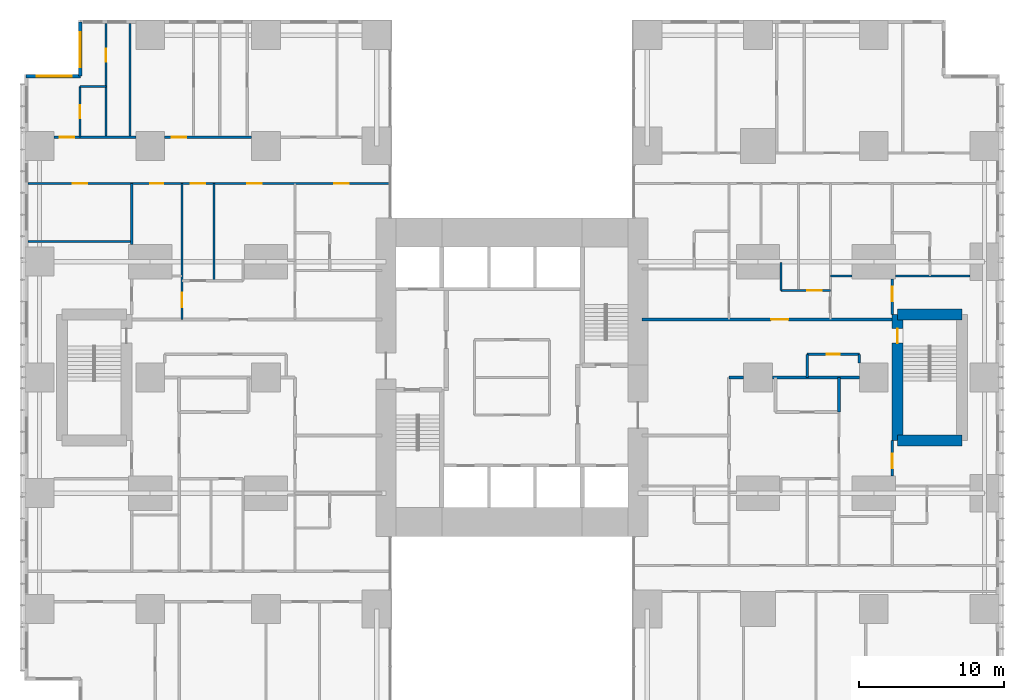
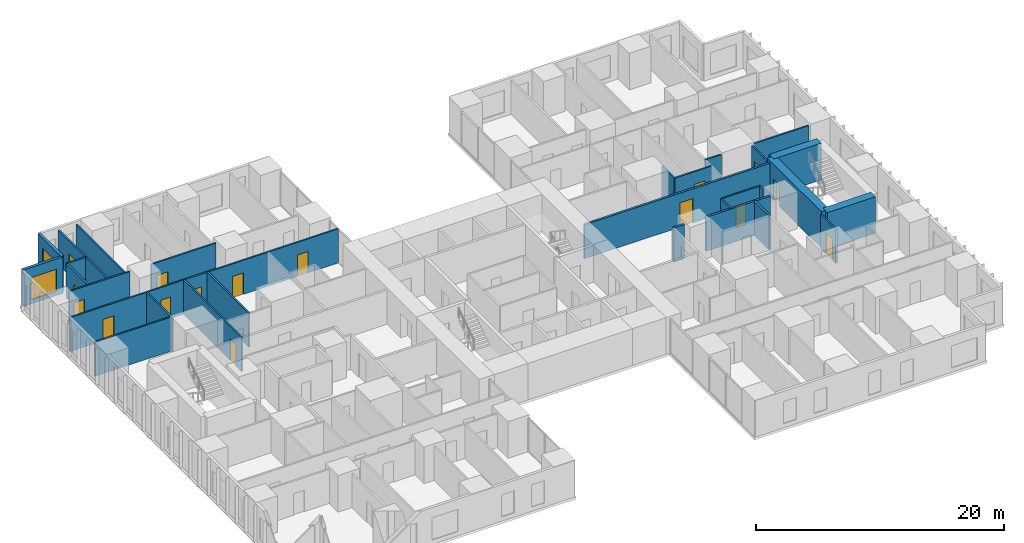
# One storey, part 16 of 20: 29 walls, 16 doors, 2 windows, 18 openings.
"""IFC4 building model written with IfcOpenShell, lengths in metres."""

from ifc_helpers import new_model, si_unit, direction, frame, frame_2d, origin, place, context, subcontext, project, spatial, rectangle, extrude, material, layer, layer_set, type_object, element, fill, save


model = new_model("IFC4")

# Units and contexts
model_context = context("Model", 3, precision=1e-05, world=origin(), true_north=direction((0.0, 1.0)))
body_context = subcontext(model_context, "Body", "Model", "MODEL_VIEW")
ifc_project = project(units=[si_unit("LENGTHUNIT", "METRE"), si_unit("AREAUNIT", "SQUARE_METRE"), si_unit("VOLUMEUNIT", "CUBIC_METRE"), si_unit("PLANEANGLEUNIT", "RADIAN"), si_unit("MASSUNIT", "GRAM", prefix="KILO")], contexts=[model_context])

# Site, building, storey
site_placement = place(None, origin())
site = spatial("IfcSite", under=ifc_project, at=site_placement, CompositionType="ELEMENT")
building_placement = place(site_placement, origin())
building = spatial("IfcBuilding", under=site, at=building_placement, Name="Cleftline Residences", CompositionType="ELEMENT")
storey_placement = place(building_placement, frame((0.0, 0.0, 117.800048828125)))
storey = spatial("IfcBuildingStorey", under=building, at=storey_placement, Name="L30", CompositionType="ELEMENT", Elevation=117.800048828125)

# Wall, opening, window
ifc_material_1 = material(Name="Rendered reinforced concrete blockwork", Category="masonry")
ifc_layer_1 = layer(ifc_material_1, 0.25)
ifc_layer_set_1 = layer_set([ifc_layer_1], Name="EXTERNAL WALL 250")
wall_type_1 = type_object("IfcWallType", Name="EXTERNAL WALL 250", PredefinedType="SOLIDWALL", material=ifc_layer_set_1)
wall_1_placement = place(storey_placement, frame((3.175048828125, 48.574951171875, 0.0), z_axis=(0.0, 0.0, 1.0), x_axis=(0.0, -1.0, 0.0)))
wall_1 = element("IfcWall", 1, at=wall_1_placement, inside=storey, type_object=wall_type_1, Name="External wall", PredefinedType="SOLIDWALL", context=body_context, shape_type="SweptSolid", body=[
    extrude(rectangle(XDim=3.75, YDim=0.25, at=frame_2d((1.875, 0.0))), origin(), (0.0, 0.0, 1.0), 3.599853515625),
])
opening_1_placement = place(wall_1_placement, frame((0.737548828125, 0.0, 0.39990234375)))
opening_1 = element("IfcOpeningElement", 2, at=opening_1_placement, cuts=wall_1, Name="Opening W12", PredefinedType="OPENING", context=body_context, shape_type="SweptSolid", body=[
    extrude(rectangle(XDim=2.39990234375, YDim=2.199951171875, at=frame_2d((1.199951171875, 1.10009765625))), frame((0.0, 0.135009765625, 0.0), z_axis=(0.0, -1.0, 0.0), x_axis=(1.0, 0.0, 0.0)), (0.0, 0.0, 1.0), 0.27001953125),
])
ifc_material_2 = material(Name="Aluminium frame, clear double glazing", Category="aluminium")
window_type = type_object("IfcWindowType", Name="WINDOW 2400X2200", PartitioningType="DOUBLE_PANEL_VERTICAL", PredefinedType="WINDOW", material=ifc_material_2)
window_1_placement = place(opening_1_placement, origin())
window_1 = element("IfcWindow", 3, at=window_1_placement, inside=storey, type_object=window_type, Name="Window", OverallHeight=2.199951171875, OverallWidth=2.39990234375, PartitioningType="SINGLE_PANEL", PredefinedType="WINDOW", context=body_context, shape_type="SweptSolid", body=[
    extrude(rectangle(XDim=2.39990234375, YDim=2.199951171875, at=frame_2d((1.199951171875, 1.10009765625))), frame((0.0, 0.030029296875, 0.0), z_axis=(0.0, -1.0, 0.0), x_axis=(1.0, 0.0, 0.0)), (0.0, 0.0, 1.0), 0.06005859375),
])
fill(opening_1, window_1)

wall_2_placement = place(storey_placement, frame((3.175048828125, 44.824951171875, 0.0), z_axis=(0.0, 0.0, 1.0), x_axis=(-1.0, 0.0, 0.0)))
wall_2 = element("IfcWall", 4, at=wall_2_placement, inside=storey, type_object=wall_type_1, Name="External wall", PredefinedType="SOLIDWALL", context=body_context, shape_type="SweptSolid", body=[
    extrude(rectangle(XDim=3.75, YDim=0.25, at=frame_2d((1.875, 0.0))), origin(), (0.0, 0.0, 1.0), 3.599853515625),
])
opening_2_placement = place(wall_2_placement, frame((0.612548828125, 0.0, 0.39990234375)))
opening_2 = element("IfcOpeningElement", 5, at=opening_2_placement, cuts=wall_2, Name="Opening W12", PredefinedType="OPENING", context=body_context, shape_type="SweptSolid", body=[
    extrude(rectangle(XDim=2.39990234375, YDim=2.199951171875, at=frame_2d((1.199951171875, 1.10009765625))), frame((0.0, 0.135009765625, 0.0), z_axis=(0.0, -1.0, 0.0), x_axis=(1.0, 0.0, 0.0)), (0.0, 0.0, 1.0), 0.27001953125),
])
window_2_placement = place(opening_2_placement, origin())
window_2 = element("IfcWindow", 6, at=window_2_placement, inside=storey, type_object=window_type, Name="Window", OverallHeight=2.199951171875, OverallWidth=2.39990234375, PartitioningType="SINGLE_PANEL", PredefinedType="WINDOW", context=body_context, shape_type="SweptSolid", body=[
    extrude(rectangle(XDim=2.39990234375, YDim=2.199951171875, at=frame_2d((1.199951171875, 1.10009765625))), frame((0.0, 0.030029296875, 0.0), z_axis=(0.0, -1.0, 0.0), x_axis=(1.0, 0.0, 0.0)), (0.0, 0.0, 1.0), 0.06005859375),
])
fill(opening_2, window_2)

# Walls
ifc_material_3 = material(Name="Concrete blockwork, fire rated", Category="masonry")
ifc_layer_2 = layer(ifc_material_3, 0.199951171875)
ifc_layer_set_2 = layer_set([ifc_layer_2], Name="FIRE WALL 200")
wall_type_2 = type_object("IfcWallType", Name="FIRE WALL 200", PredefinedType="PARTITIONING", material=ifc_layer_set_2)
wall_3_placement = place(storey_placement, frame((48.0, 24.0, 0.0), z_axis=(0.0, 0.0, 1.0), x_axis=(1.0, 0.0, 0.0)))
element("IfcWall", 7, at=wall_3_placement, inside=storey, type_object=wall_type_2, Name="Fire separating wall", PredefinedType="PARTITIONING", context=body_context, shape_type="SweptSolid", body=[
    extrude(rectangle(XDim=1.0, YDim=0.199951171875, at=frame_2d((0.5, 0.0))), origin(), (0.0, 0.0, 1.0), 3.349853515625),
])
wall_4_placement = place(storey_placement, frame((51.0, 24.0, 0.0), z_axis=(0.0, 0.0, 1.0), x_axis=(1.0, 0.0, 0.0)))
element("IfcWall", 8, at=wall_4_placement, inside=storey, type_object=wall_type_2, Name="Fire separating wall", PredefinedType="PARTITIONING", context=body_context, shape_type="SweptSolid", body=[
    extrude(rectangle(XDim=6.0, YDim=0.199951171875, at=frame_2d((3.0, 0.0))), origin(), (0.0, 0.0, 1.0), 3.349853515625),
])

# Wall, opening, door
wall_5_placement = place(storey_placement, frame((42.0, 28.0, 0.0), z_axis=(0.0, 0.0, 1.0), x_axis=(1.0, 0.0, 0.0)))
wall_5 = element("IfcWall", 9, at=wall_5_placement, inside=storey, type_object=wall_type_2, Name="Fire separating wall", PredefinedType="PARTITIONING", context=body_context, shape_type="SweptSolid", body=[
    extrude(rectangle(XDim=17.27490234375, YDim=0.199951171875, at=frame_2d((8.637451171875, 0.0))), origin(), (0.0, 0.0, 1.0), 3.349853515625),
])
opening_3_placement = place(wall_5_placement, frame((8.89990234375, 0.0, 0.0)))
opening_3 = element("IfcOpeningElement", 10, at=opening_3_placement, cuts=wall_5, Name="Opening D4", PredefinedType="OPENING", context=body_context, shape_type="SweptSolid", body=[
    extrude(rectangle(XDim=1.199951171875, YDim=2.39990234375, at=frame_2d((0.60009765625, 1.199951171875))), frame((0.0, 0.10986328125, 0.0), z_axis=(0.0, -1.0, 0.0), x_axis=(1.0, 0.0, 0.0)), (0.0, 0.0, 1.0), 0.219970703125),
])
ifc_material_4 = material(Name="Timber veneer on solid core", Category="wood")
door_type_1 = type_object("IfcDoorType", Name="APARTMENT ENTRANCE DOOR 1200X2400", OperationType="SINGLE_SWING_RIGHT", PredefinedType="DOOR", material=ifc_material_4)
door_1_placement = place(opening_3_placement, origin())
door_1 = element("IfcDoor", 11, at=door_1_placement, inside=storey, type_object=door_type_1, Name="Door to residence entrance foyer", OperationType="SINGLE_SWING_LEFT", OverallHeight=2.39990234375, OverallWidth=1.199951171875, PredefinedType="DOOR", context=body_context, shape_type="SweptSolid", body=[
    extrude(rectangle(XDim=1.199951171875, YDim=2.39990234375, at=frame_2d((0.60009765625, 1.199951171875))), frame((0.0, 0.02490234375, 0.0), z_axis=(0.0, -1.0, 0.0), x_axis=(1.0, 0.0, 0.0)), (0.0, 0.0, 1.0), 0.050048828125),
])
fill(opening_3, door_1)

# Wall
wall_6_placement = place(storey_placement, frame((55.60009765625, 21.60009765625, 0.0), z_axis=(0.0, 0.0, 1.0), x_axis=(0.0, 1.0, 0.0)))
element("IfcWall", 12, at=wall_6_placement, inside=storey, type_object=wall_type_2, Name="Fire separating wall", PredefinedType="PARTITIONING", context=body_context, shape_type="SweptSolid", body=[
    extrude(rectangle(XDim=2.39990234375, YDim=0.199951171875, at=frame_2d((1.199951171875, 0.0))), origin(), (0.0, 0.0, 1.0), 3.349853515625),
])

# Wall, opening, door
ifc_material_5 = material(Name="Gypsum board on steel studs", Category="steel")
ifc_layer_3 = layer(ifc_material_5, 0.14990234375)
ifc_layer_set_3 = layer_set([ifc_layer_3], Name="PARTITION 150")
wall_type_3 = type_object("IfcWallType", Name="PARTITION 150", PredefinedType="PARTITIONING", material=ifc_layer_set_3)
wall_7_placement = place(storey_placement, frame((53.39990234375, 25.60009765625, 0.0), z_axis=(0.0, 0.0, 1.0), x_axis=(1.0, 0.0, 0.0)))
wall_7 = element("IfcWall", 13, at=wall_7_placement, inside=storey, type_object=wall_type_3, Name="Partition", PredefinedType="PARTITIONING", context=body_context, shape_type="SweptSolid", body=[
    extrude(rectangle(XDim=3.60009765625, YDim=0.14990234375, at=frame_2d((1.800048828125, 0.0))), origin(), (0.0, 0.0, 1.0), 3.349853515625),
])
opening_4_placement = place(wall_7_placement, frame((1.35009765625, 0.0, 0.0)))
opening_4 = element("IfcOpeningElement", 14, at=opening_4_placement, cuts=wall_7, Name="Opening D1", PredefinedType="OPENING", context=body_context, shape_type="SweptSolid", body=[
    extrude(rectangle(XDim=0.89990234375, YDim=2.10009765625, at=frame_2d((0.449951171875, 1.050048828125))), frame((0.0, 0.0849609375, 0.0), z_axis=(0.0, -1.0, 0.0), x_axis=(1.0, 0.0, 0.0)), (0.0, 0.0, 1.0), 0.169921875),
])
ifc_material_6 = material(Name="Timber veneer on solid core", Category="wood")
door_type_2 = type_object("IfcDoorType", Name="DOOR 900X2100", OperationType="SINGLE_SWING_LEFT", PredefinedType="DOOR", material=ifc_material_6)
door_2_placement = place(opening_4_placement, origin())
door_2 = element("IfcDoor", 15, at=door_2_placement, inside=storey, type_object=door_type_2, Name="Door to residents' storage room", OperationType="SINGLE_SWING_LEFT", OverallHeight=2.10009765625, OverallWidth=0.89990234375, PredefinedType="DOOR", context=body_context, shape_type="SweptSolid", body=[
    extrude(rectangle(XDim=0.89990234375, YDim=2.10009765625, at=frame_2d((0.449951171875, 1.050048828125))), frame((0.0, 0.02490234375, 0.0), z_axis=(0.0, -1.0, 0.0), x_axis=(1.0, 0.0, 0.0)), (0.0, 0.0, 1.0), 0.050048828125),
])
fill(opening_4, door_2)

wall_8_placement = place(storey_placement, frame((51.60009765625, 30.0, 0.0), z_axis=(0.0, 0.0, 1.0), x_axis=(1.0, 0.0, 0.0)))
wall_8 = element("IfcWall", 16, at=wall_8_placement, inside=storey, type_object=wall_type_3, Name="Partition", PredefinedType="PARTITIONING", context=body_context, shape_type="SweptSolid", body=[
    extrude(rectangle(XDim=3.39990234375, YDim=0.14990234375, at=frame_2d((1.699951171875, 0.0))), origin(), (0.0, 0.0, 1.0), 3.349853515625),
])
opening_5_placement = place(wall_8_placement, frame((1.800048828125, 0.0, 0.0)))
opening_5 = element("IfcOpeningElement", 17, at=opening_5_placement, cuts=wall_8, Name="Opening D2", PredefinedType="OPENING", context=body_context, shape_type="SweptSolid", body=[
    extrude(rectangle(XDim=1.0, YDim=2.10009765625, at=frame_2d((0.5, 1.050048828125))), frame((0.0, 0.0849609375, 0.0), z_axis=(0.0, -1.0, 0.0), x_axis=(1.0, 0.0, 0.0)), (0.0, 0.0, 1.0), 0.169921875),
])
ifc_material_7 = material(Name="Timber veneer on solid core", Category="wood")
door_type_3 = type_object("IfcDoorType", Name="DOOR 1000X2100", OperationType="SINGLE_SWING_LEFT", PredefinedType="DOOR", material=ifc_material_7)
door_3_placement = place(opening_5_placement, origin())
door_3 = element("IfcDoor", 18, at=door_3_placement, inside=storey, type_object=door_type_3, Name="Door to residence passage", OperationType="SINGLE_SWING_LEFT", OverallHeight=2.10009765625, OverallWidth=1.0, PredefinedType="DOOR", context=body_context, shape_type="SweptSolid", body=[
    extrude(rectangle(XDim=1.0, YDim=2.10009765625, at=frame_2d((0.5, 1.050048828125))), frame((0.0, 0.02490234375, 0.0), z_axis=(0.0, -1.0, 0.0), x_axis=(1.0, 0.0, 0.0)), (0.0, 0.0, 1.0), 0.050048828125),
])
fill(opening_5, door_3)

# Walls
wall_9_placement = place(storey_placement, frame((55.0, 31.0, 0.0), z_axis=(0.0, 0.0, 1.0), x_axis=(1.0, 0.0, 0.0)))
element("IfcWall", 19, at=wall_9_placement, inside=storey, type_object=wall_type_3, Name="Partition", PredefinedType="PARTITIONING", context=body_context, shape_type="SweptSolid", body=[
    extrude(rectangle(XDim=1.5, YDim=0.14990234375, at=frame_2d((0.75, 0.0))), origin(), (0.0, 0.0, 1.0), 3.349853515625),
])
wall_10_placement = place(storey_placement, frame((59.5, 31.0, 0.0), z_axis=(0.0, 0.0, 1.0), x_axis=(1.0, 0.0, 0.0)))
element("IfcWall", 20, at=wall_10_placement, inside=storey, type_object=wall_type_3, Name="Partition", PredefinedType="PARTITIONING", context=body_context, shape_type="SweptSolid", body=[
    extrude(rectangle(XDim=5.14990234375, YDim=0.14990234375, at=frame_2d((2.574951171875, 0.0))), origin(), (0.0, 0.0, 1.0), 3.349853515625),
])
wall_11_placement = place(storey_placement, frame((-0.449951171875, 33.39990234375, 0.0), z_axis=(0.0, 0.0, 1.0), x_axis=(1.0, 0.0, 0.0)))
element("IfcWall", 21, at=wall_11_placement, inside=storey, type_object=wall_type_3, Name="Partition", PredefinedType="PARTITIONING", context=body_context, shape_type="SweptSolid", body=[
    extrude(rectangle(XDim=7.175048828125, YDim=0.14990234375, at=frame_2d((3.58740234375, 0.0))), origin(), (0.0, 0.0, 1.0), 3.349853515625),
])

# Wall, openings, doors
wall_12_placement = place(storey_placement, frame((-0.449951171875, 37.39990234375, 0.0), z_axis=(0.0, 0.0, 1.0), x_axis=(1.0, 0.0, 0.0)))
wall_12 = element("IfcWall", 22, at=wall_12_placement, inside=storey, type_object=wall_type_3, Name="Partition", PredefinedType="PARTITIONING", context=body_context, shape_type="SweptSolid", body=[
    extrude(rectangle(XDim=25.010986328125, YDim=0.14990234375, at=frame_2d((12.50537109375, 0.0))), origin(), (0.0, 0.0, 1.0), 3.349853515625),
])
opening_6_placement = place(wall_12_placement, frame((11.25, 0.0, 0.0)))
opening_6 = element("IfcOpeningElement", 23, at=opening_6_placement, cuts=wall_12, Name="Opening D2", PredefinedType="OPENING", context=body_context, shape_type="SweptSolid", body=[
    extrude(rectangle(XDim=1.0, YDim=2.10009765625, at=frame_2d((0.5, 1.050048828125))), frame((0.0, 0.0849609375, 0.0), z_axis=(0.0, -1.0, 0.0), x_axis=(1.0, 0.0, 0.0)), (0.0, 0.0, 1.0), 0.169921875),
])
opening_7_placement = place(wall_12_placement, frame((3.08740234375, 0.0, 0.0)))
opening_7 = element("IfcOpeningElement", 24, at=opening_7_placement, cuts=wall_12, Name="Opening D2", PredefinedType="OPENING", context=body_context, shape_type="SweptSolid", body=[
    extrude(rectangle(XDim=1.0, YDim=2.10009765625, at=frame_2d((0.5, 1.050048828125))), frame((0.0, 0.0849609375, 0.0), z_axis=(0.0, -1.0, 0.0), x_axis=(1.0, 0.0, 0.0)), (0.0, 0.0, 1.0), 0.169921875),
])
opening_8_placement = place(wall_12_placement, frame((8.46240234375, 0.0, 0.0)))
opening_8 = element("IfcOpeningElement", 25, at=opening_8_placement, cuts=wall_12, Name="Opening D1", PredefinedType="OPENING", context=body_context, shape_type="SweptSolid", body=[
    extrude(rectangle(XDim=0.89990234375, YDim=2.10009765625, at=frame_2d((0.449951171875, 1.050048828125))), frame((0.0, 0.0849609375, 0.0), z_axis=(0.0, -1.0, 0.0), x_axis=(1.0, 0.0, 0.0)), (0.0, 0.0, 1.0), 0.169921875),
])
opening_9_placement = place(wall_12_placement, frame((15.14990234375, 0.0, 0.0)))
opening_9 = element("IfcOpeningElement", 26, at=opening_9_placement, cuts=wall_12, Name="Opening D2", PredefinedType="OPENING", context=body_context, shape_type="SweptSolid", body=[
    extrude(rectangle(XDim=1.0, YDim=2.10009765625, at=frame_2d((0.5, 1.050048828125))), frame((0.0, 0.0849609375, 0.0), z_axis=(0.0, -1.0, 0.0), x_axis=(1.0, 0.0, 0.0)), (0.0, 0.0, 1.0), 0.169921875),
])
opening_10_placement = place(wall_12_placement, frame((21.175048828125, 0.0, 0.0)))
opening_10 = element("IfcOpeningElement", 27, at=opening_10_placement, cuts=wall_12, Name="Opening D2", PredefinedType="OPENING", context=body_context, shape_type="SweptSolid", body=[
    extrude(rectangle(XDim=1.0, YDim=2.10009765625, at=frame_2d((0.5, 1.050048828125))), frame((0.0, 0.0849609375, 0.0), z_axis=(0.0, -1.0, 0.0), x_axis=(1.0, 0.0, 0.0)), (0.0, 0.0, 1.0), 0.169921875),
])
door_4_placement = place(opening_6_placement, origin())
door_4 = element("IfcDoor", 28, at=door_4_placement, inside=storey, type_object=door_type_3, Name="Door to residence hall", OperationType="SINGLE_SWING_RIGHT", OverallHeight=2.10009765625, OverallWidth=1.0, PredefinedType="DOOR", context=body_context, shape_type="SweptSolid", body=[
    extrude(rectangle(XDim=1.0, YDim=2.10009765625, at=frame_2d((0.5, 1.050048828125))), frame((0.0, 0.02490234375, 0.0), z_axis=(0.0, -1.0, 0.0), x_axis=(1.0, 0.0, 0.0)), (0.0, 0.0, 1.0), 0.050048828125),
])
fill(opening_6, door_4)
door_5_placement = place(opening_7_placement, origin())
door_5 = element("IfcDoor", 29, at=door_5_placement, inside=storey, type_object=door_type_3, Name="Door to study", OperationType="SINGLE_SWING_RIGHT", OverallHeight=2.10009765625, OverallWidth=1.0, PredefinedType="DOOR", context=body_context, shape_type="SweptSolid", body=[
    extrude(rectangle(XDim=1.0, YDim=2.10009765625, at=frame_2d((0.5, 1.050048828125))), frame((0.0, 0.02490234375, 0.0), z_axis=(0.0, -1.0, 0.0), x_axis=(1.0, 0.0, 0.0)), (0.0, 0.0, 1.0), 0.050048828125),
])
fill(opening_7, door_5)
door_6_placement = place(opening_9_placement, origin())
door_6 = element("IfcDoor", 30, at=door_6_placement, inside=storey, type_object=door_type_3, Name="Door to media room", OperationType="SINGLE_SWING_LEFT", OverallHeight=2.10009765625, OverallWidth=1.0, PredefinedType="DOOR", context=body_context, shape_type="SweptSolid", body=[
    extrude(rectangle(XDim=1.0, YDim=2.10009765625, at=frame_2d((0.5, 1.050048828125))), frame((0.0, 0.02490234375, 0.0), z_axis=(0.0, -1.0, 0.0), x_axis=(1.0, 0.0, 0.0)), (0.0, 0.0, 1.0), 0.050048828125),
])
fill(opening_9, door_6)
door_7_placement = place(opening_10_placement, origin())
door_7 = element("IfcDoor", 31, at=door_7_placement, inside=storey, type_object=door_type_3, Name="Door to bedroom 4", OperationType="SINGLE_SWING_LEFT", OverallHeight=2.10009765625, OverallWidth=1.0, PredefinedType="DOOR", context=body_context, shape_type="SweptSolid", body=[
    extrude(rectangle(XDim=1.0, YDim=2.10009765625, at=frame_2d((0.5, 1.050048828125))), frame((0.0, 0.02490234375, 0.0), z_axis=(0.0, -1.0, 0.0), x_axis=(1.0, 0.0, 0.0)), (0.0, 0.0, 1.0), 0.050048828125),
])
fill(opening_10, door_7)
door_8_placement = place(opening_8_placement, origin())
door_8 = element("IfcDoor", 32, at=door_8_placement, inside=storey, type_object=door_type_2, Name="Door to guest bathroom", OperationType="SINGLE_SWING_RIGHT", OverallHeight=2.10009765625, OverallWidth=0.89990234375, PredefinedType="DOOR", context=body_context, shape_type="SweptSolid", body=[
    extrude(rectangle(XDim=0.89990234375, YDim=2.10009765625, at=frame_2d((0.449951171875, 1.050048828125))), frame((0.0, 0.02490234375, 0.0), z_axis=(0.0, -1.0, 0.0), x_axis=(1.0, 0.0, 0.0)), (0.0, 0.0, 1.0), 0.050048828125),
])
fill(opening_8, door_8)

# Wall, opening, door
wall_13_placement = place(storey_placement, frame((1.35009765625, 40.60009765625, 0.0), z_axis=(0.0, 0.0, 1.0), x_axis=(1.0, 0.0, 0.0)))
wall_13 = element("IfcWall", 33, at=wall_13_placement, inside=storey, type_object=wall_type_3, Name="Partition", PredefinedType="PARTITIONING", context=body_context, shape_type="SweptSolid", body=[
    extrude(rectangle(XDim=5.64990234375, YDim=0.14990234375, at=frame_2d((2.824951171875, 0.0))), origin(), (0.0, 0.0, 1.0), 3.349853515625),
])
opening_11_placement = place(wall_13_placement, frame((0.39990234375, 0.0, 0.0)))
opening_11 = element("IfcOpeningElement", 34, at=opening_11_placement, cuts=wall_13, Name="Opening D2", PredefinedType="OPENING", context=body_context, shape_type="SweptSolid", body=[
    extrude(rectangle(XDim=1.0, YDim=2.10009765625, at=frame_2d((0.5, 1.050048828125))), frame((0.0, 0.0849609375, 0.0), z_axis=(0.0, -1.0, 0.0), x_axis=(1.0, 0.0, 0.0)), (0.0, 0.0, 1.0), 0.169921875),
])
door_9_placement = place(opening_11_placement, origin())
door_9 = element("IfcDoor", 35, at=door_9_placement, inside=storey, type_object=door_type_3, Name="Door to bedroom 2", OperationType="SINGLE_SWING_RIGHT", OverallHeight=2.10009765625, OverallWidth=1.0, PredefinedType="DOOR", context=body_context, shape_type="SweptSolid", body=[
    extrude(rectangle(XDim=1.0, YDim=2.10009765625, at=frame_2d((0.5, 1.050048828125))), frame((0.0, 0.02490234375, 0.0), z_axis=(0.0, -1.0, 0.0), x_axis=(1.0, 0.0, 0.0)), (0.0, 0.0, 1.0), 0.050048828125),
])
fill(opening_11, door_9)

wall_14_placement = place(storey_placement, frame((9.0, 40.60009765625, 0.0), z_axis=(0.0, 0.0, 1.0), x_axis=(1.0, 0.0, 0.0)))
wall_14 = element("IfcWall", 36, at=wall_14_placement, inside=storey, type_object=wall_type_3, Name="Partition", PredefinedType="PARTITIONING", context=body_context, shape_type="SweptSolid", body=[
    extrude(rectangle(XDim=6.0, YDim=0.14990234375, at=frame_2d((3.0, 0.0))), origin(), (0.0, 0.0, 1.0), 3.349853515625),
])
opening_12_placement = place(wall_14_placement, frame((0.5, 0.0, 0.0)))
opening_12 = element("IfcOpeningElement", 37, at=opening_12_placement, cuts=wall_14, Name="Opening D2", PredefinedType="OPENING", context=body_context, shape_type="SweptSolid", body=[
    extrude(rectangle(XDim=1.0, YDim=2.10009765625, at=frame_2d((0.5, 1.050048828125))), frame((0.0, 0.0849609375, 0.0), z_axis=(0.0, -1.0, 0.0), x_axis=(1.0, 0.0, 0.0)), (0.0, 0.0, 1.0), 0.169921875),
])
door_10_placement = place(opening_12_placement, origin())
door_10 = element("IfcDoor", 38, at=door_10_placement, inside=storey, type_object=door_type_3, Name="Door to bedroom 3", OperationType="SINGLE_SWING_RIGHT", OverallHeight=2.10009765625, OverallWidth=1.0, PredefinedType="DOOR", context=body_context, shape_type="SweptSolid", body=[
    extrude(rectangle(XDim=1.0, YDim=2.10009765625, at=frame_2d((0.5, 1.050048828125))), frame((0.0, 0.02490234375, 0.0), z_axis=(0.0, -1.0, 0.0), x_axis=(1.0, 0.0, 0.0)), (0.0, 0.0, 1.0), 0.050048828125),
])
fill(opening_12, door_10)

# Wall
wall_15_placement = place(storey_placement, frame((3.14990234375, 44.10009765625, 0.0), z_axis=(0.0, 0.0, 1.0), x_axis=(1.0, 0.0, 0.0)))
element("IfcWall", 39, at=wall_15_placement, inside=storey, type_object=wall_type_3, Name="Partition", PredefinedType="PARTITIONING", context=body_context, shape_type="SweptSolid", body=[
    extrude(rectangle(XDim=1.800048828125, YDim=0.14990234375, at=frame_2d((0.89990234375, 0.0))), origin(), (0.0, 0.0, 1.0), 3.349853515625),
])

# Wall, opening, door
wall_16_placement = place(storey_placement, frame((3.14990234375, 40.60009765625, 0.0), z_axis=(0.0, 0.0, 1.0), x_axis=(0.0, 1.0, 0.0)))
wall_16 = element("IfcWall", 40, at=wall_16_placement, inside=storey, type_object=wall_type_3, Name="Partition", PredefinedType="PARTITIONING", context=body_context, shape_type="SweptSolid", body=[
    extrude(rectangle(XDim=3.5, YDim=0.14990234375, at=frame_2d((1.75, 0.0))), origin(), (0.0, 0.0, 1.0), 3.349853515625),
])
opening_13_placement = place(wall_16_placement, frame((1.300048828125, 0.0, 0.0)))
opening_13 = element("IfcOpeningElement", 41, at=opening_13_placement, cuts=wall_16, Name="Opening D1", PredefinedType="OPENING", context=body_context, shape_type="SweptSolid", body=[
    extrude(rectangle(XDim=0.89990234375, YDim=2.10009765625, at=frame_2d((0.449951171875, 1.050048828125))), frame((0.0, 0.0849609375, 0.0), z_axis=(0.0, -1.0, 0.0), x_axis=(1.0, 0.0, 0.0)), (0.0, 0.0, 1.0), 0.169921875),
])
door_11_placement = place(opening_13_placement, origin())
door_11 = element("IfcDoor", 42, at=door_11_placement, inside=storey, type_object=door_type_2, Name="Door to en-suite bathroom 2", OperationType="SINGLE_SWING_LEFT", OverallHeight=2.10009765625, OverallWidth=0.89990234375, PredefinedType="DOOR", context=body_context, shape_type="SweptSolid", body=[
    extrude(rectangle(XDim=0.89990234375, YDim=2.10009765625, at=frame_2d((0.449951171875, 1.050048828125))), frame((0.0, 0.02490234375, 0.0), z_axis=(0.0, -1.0, 0.0), x_axis=(1.0, 0.0, 0.0)), (0.0, 0.0, 1.0), 0.050048828125),
])
fill(opening_13, door_11)

wall_17_placement = place(storey_placement, frame((4.949951171875, 40.60009765625, 0.0), z_axis=(0.0, 0.0, 1.0), x_axis=(0.0, 1.0, 0.0)))
wall_17 = element("IfcWall", 43, at=wall_17_placement, inside=storey, type_object=wall_type_3, Name="Partition", PredefinedType="PARTITIONING", context=body_context, shape_type="SweptSolid", body=[
    extrude(rectangle(XDim=7.849853515625, YDim=0.14990234375, at=frame_2d((3.9248046875, 0.0))), origin(), (0.0, 0.0, 1.0), 3.349853515625),
])
opening_14_placement = place(wall_17_placement, frame((5.22509765625, 0.0, 0.0)))
opening_14 = element("IfcOpeningElement", 44, at=opening_14_placement, cuts=wall_17, Name="Opening D1", PredefinedType="OPENING", context=body_context, shape_type="SweptSolid", body=[
    extrude(rectangle(XDim=0.89990234375, YDim=2.10009765625, at=frame_2d((0.449951171875, 1.050048828125))), frame((0.0, 0.0849609375, 0.0), z_axis=(0.0, -1.0, 0.0), x_axis=(1.0, 0.0, 0.0)), (0.0, 0.0, 1.0), 0.169921875),
])
door_12_placement = place(opening_14_placement, origin())
door_12 = element("IfcDoor", 45, at=door_12_placement, inside=storey, type_object=door_type_2, Name="Door to walk-in wardrobe", OperationType="SINGLE_SWING_LEFT", OverallHeight=2.10009765625, OverallWidth=0.89990234375, PredefinedType="DOOR", context=body_context, shape_type="SweptSolid", body=[
    extrude(rectangle(XDim=0.89990234375, YDim=2.10009765625, at=frame_2d((0.449951171875, 1.050048828125))), frame((0.0, 0.02490234375, 0.0), z_axis=(0.0, -1.0, 0.0), x_axis=(1.0, 0.0, 0.0)), (0.0, 0.0, 1.0), 0.050048828125),
])
fill(opening_14, door_12)

# Walls
wall_18_placement = place(storey_placement, frame((6.60009765625, 40.60009765625, 0.0), z_axis=(0.0, 0.0, 1.0), x_axis=(0.0, 1.0, 0.0)))
element("IfcWall", 46, at=wall_18_placement, inside=storey, type_object=wall_type_3, Name="Partition", PredefinedType="PARTITIONING", context=body_context, shape_type="SweptSolid", body=[
    extrude(rectangle(XDim=7.849853515625, YDim=0.14990234375, at=frame_2d((3.9248046875, 0.0))), origin(), (0.0, 0.0, 1.0), 3.349853515625),
])
wall_19_placement = place(storey_placement, frame((6.72509765625, 33.199951171875, 0.0), z_axis=(0.0, 0.0, 1.0), x_axis=(0.0, 1.0, 0.0)))
element("IfcWall", 47, at=wall_19_placement, inside=storey, type_object=wall_type_3, Name="Partition", PredefinedType="PARTITIONING", context=body_context, shape_type="SweptSolid", body=[
    extrude(rectangle(XDim=4.199951171875, YDim=0.14990234375, at=frame_2d((2.10009765625, 0.0))), origin(), (0.0, 0.0, 1.0), 3.349853515625),
])

# Wall, opening, door
wall_20_placement = place(storey_placement, frame((10.199951171875, 28.0, 0.0), z_axis=(0.0, 0.0, 1.0), x_axis=(0.0, 1.0, 0.0)))
wall_20 = element("IfcWall", 48, at=wall_20_placement, inside=storey, type_object=wall_type_3, Name="Partition", PredefinedType="PARTITIONING", context=body_context, shape_type="SweptSolid", body=[
    extrude(rectangle(XDim=9.39990234375, YDim=0.14990234375, at=frame_2d((4.699951171875, 0.0))), origin(), (0.0, 0.0, 1.0), 3.349853515625),
])
opening_15_placement = place(wall_20_placement, frame((0.83740234375, 0.0, 0.0)))
opening_15 = element("IfcOpeningElement", 49, at=opening_15_placement, cuts=wall_20, Name="Opening D2F30", PredefinedType="OPENING", context=body_context, shape_type="SweptSolid", body=[
    extrude(rectangle(XDim=1.0, YDim=2.10009765625, at=frame_2d((0.5, 1.050048828125))), frame((0.0, 0.0849609375, 0.0), z_axis=(0.0, -1.0, 0.0), x_axis=(1.0, 0.0, 0.0)), (0.0, 0.0, 1.0), 0.169921875),
])
ifc_material_8 = material(Name="Timber veneer on solid core", Category="wood")
door_type_4 = type_object("IfcDoorType", Name="DOOR 1000X2100 EI 30", OperationType="SINGLE_SWING_LEFT", PredefinedType="DOOR", material=ifc_material_8)
door_13_placement = place(opening_15_placement, origin())
door_13 = element("IfcDoor", 50, at=door_13_placement, inside=storey, type_object=door_type_4, Name="Door to residence lobby (service)", OperationType="SINGLE_SWING_RIGHT", OverallHeight=2.10009765625, OverallWidth=1.0, PredefinedType="DOOR", context=body_context, shape_type="SweptSolid", body=[
    extrude(rectangle(XDim=1.0, YDim=2.10009765625, at=frame_2d((0.5, 1.050048828125))), frame((0.0, 0.02490234375, 0.0), z_axis=(0.0, -1.0, 0.0), x_axis=(1.0, 0.0, 0.0)), (0.0, 0.0, 1.0), 0.050048828125),
])
fill(opening_15, door_13)

# Walls
wall_21_placement = place(storey_placement, frame((12.39990234375, 30.675048828125, 0.0), z_axis=(0.0, 0.0, 1.0), x_axis=(0.0, 1.0, 0.0)))
element("IfcWall", 51, at=wall_21_placement, inside=storey, type_object=wall_type_3, Name="Partition", PredefinedType="PARTITIONING", context=body_context, shape_type="SweptSolid", body=[
    extrude(rectangle(XDim=6.724853515625, YDim=0.14990234375, at=frame_2d((3.3623046875, 0.0))), origin(), (0.0, 0.0, 1.0), 3.349853515625),
])
wall_22_placement = place(storey_placement, frame((51.60009765625, 30.0, 0.0), z_axis=(0.0, 0.0, 1.0), x_axis=(0.0, 1.0, 0.0)))
element("IfcWall", 52, at=wall_22_placement, inside=storey, type_object=wall_type_3, Name="Partition", PredefinedType="PARTITIONING", context=body_context, shape_type="SweptSolid", body=[
    extrude(rectangle(XDim=1.949951171875, YDim=0.14990234375, at=frame_2d((0.97509765625, 0.0))), origin(), (0.0, 0.0, 1.0), 3.349853515625),
])
wall_23_placement = place(storey_placement, frame((53.39990234375, 24.0, 0.0), z_axis=(0.0, 0.0, 1.0), x_axis=(0.0, 1.0, 0.0)))
element("IfcWall", 53, at=wall_23_placement, inside=storey, type_object=wall_type_3, Name="Partition", PredefinedType="PARTITIONING", context=body_context, shape_type="SweptSolid", body=[
    extrude(rectangle(XDim=1.60009765625, YDim=0.14990234375, at=frame_2d((0.800048828125, 0.0))), origin(), (0.0, 0.0, 1.0), 3.349853515625),
])
wall_24_placement = place(storey_placement, frame((57.0, 25.0, 0.0), z_axis=(0.0, 0.0, 1.0), x_axis=(0.0, 1.0, 0.0)))
element("IfcWall", 54, at=wall_24_placement, inside=storey, type_object=wall_type_3, Name="Partition", PredefinedType="PARTITIONING", context=body_context, shape_type="SweptSolid", body=[
    extrude(rectangle(XDim=0.60009765625, YDim=0.14990234375, at=frame_2d((0.300048828125, 0.0))), origin(), (0.0, 0.0, 1.0), 3.349853515625),
])

# Wall, opening, door
wall_25_placement = place(storey_placement, frame((59.27490234375, 17.199951171875, 0.0), z_axis=(0.0, 0.0, 1.0), x_axis=(0.0, 1.0, 0.0)))
wall_25 = element("IfcWall", 55, at=wall_25_placement, inside=storey, type_object=wall_type_3, Name="Partition", PredefinedType="PARTITIONING", context=body_context, shape_type="SweptSolid", body=[
    extrude(rectangle(XDim=2.449951171875, YDim=0.14990234375, at=frame_2d((1.22509765625, 0.0))), origin(), (0.0, 0.0, 1.0), 3.349853515625),
])
opening_16_placement = place(wall_25_placement, frame((0.53759765625, 0.0, 0.0)))
opening_16 = element("IfcOpeningElement", 56, at=opening_16_placement, cuts=wall_25, Name="Opening D2", PredefinedType="OPENING", context=body_context, shape_type="SweptSolid", body=[
    extrude(rectangle(XDim=1.0, YDim=2.10009765625, at=frame_2d((0.5, 1.050048828125))), frame((0.0, 0.0849609375, 0.0), z_axis=(0.0, -1.0, 0.0), x_axis=(1.0, 0.0, 0.0)), (0.0, 0.0, 1.0), 0.169921875),
])
door_14_placement = place(opening_16_placement, origin())
door_14 = element("IfcDoor", 57, at=door_14_placement, inside=storey, type_object=door_type_3, Name="Door to winter garden", OperationType="SINGLE_SWING_RIGHT", OverallHeight=2.10009765625, OverallWidth=1.0, PredefinedType="DOOR", context=body_context, shape_type="SweptSolid", body=[
    extrude(rectangle(XDim=1.0, YDim=2.10009765625, at=frame_2d((0.5, 1.050048828125))), frame((0.0, 0.02490234375, 0.0), z_axis=(0.0, -1.0, 0.0), x_axis=(1.0, 0.0, 0.0)), (0.0, 0.0, 1.0), 0.050048828125),
])
fill(opening_16, door_14)

wall_26_placement = place(storey_placement, frame((59.27490234375, 28.35009765625, 0.0), z_axis=(0.0, 0.0, 1.0), x_axis=(0.0, 1.0, 0.0)))
wall_26 = element("IfcWall", 58, at=wall_26_placement, inside=storey, type_object=wall_type_3, Name="Partition", PredefinedType="PARTITIONING", context=body_context, shape_type="SweptSolid", body=[
    extrude(rectangle(XDim=2.449951171875, YDim=0.14990234375, at=frame_2d((1.22509765625, 0.0))), origin(), (0.0, 0.0, 1.0), 3.349853515625),
])
opening_17_placement = place(wall_26_placement, frame((0.91259765625, 0.0, 0.0)))
opening_17 = element("IfcOpeningElement", 59, at=opening_17_placement, cuts=wall_26, Name="Opening D2", PredefinedType="OPENING", context=body_context, shape_type="SweptSolid", body=[
    extrude(rectangle(XDim=1.0, YDim=2.10009765625, at=frame_2d((0.5, 1.050048828125))), frame((0.0, 0.0849609375, 0.0), z_axis=(0.0, -1.0, 0.0), x_axis=(1.0, 0.0, 0.0)), (0.0, 0.0, 1.0), 0.169921875),
])
door_15_placement = place(opening_17_placement, origin())
door_15 = element("IfcDoor", 60, at=door_15_placement, inside=storey, type_object=door_type_3, Name="Door to altar room", OperationType="SINGLE_SWING_LEFT", OverallHeight=2.10009765625, OverallWidth=1.0, PredefinedType="DOOR", context=body_context, shape_type="SweptSolid", body=[
    extrude(rectangle(XDim=1.0, YDim=2.10009765625, at=frame_2d((0.5, 1.050048828125))), frame((0.0, 0.02490234375, 0.0), z_axis=(0.0, -1.0, 0.0), x_axis=(1.0, 0.0, 0.0)), (0.0, 0.0, 1.0), 0.050048828125),
])
fill(opening_17, door_15)

# Walls
ifc_material_9 = material(Name="Concrete B70", Category="concrete")
ifc_layer_4 = layer(ifc_material_9, 0.75)
ifc_layer_set_4 = layer_set([ifc_layer_4], Name="SHEAR WALL 750")
wall_type_4 = type_object("IfcWallType", Name="SHEAR WALL 750", PredefinedType="SHEAR", material=ifc_layer_set_4)
for number, where, z_axis, x_axis, name in (
    (61, (59.64990234375, 19.64990234375, 0.0), (0.0, 0.0, 1.0), (1.0, 0.0, 0.0), "Wing shear wall"),
    (62, (64.10009765625, 28.35009765625, 0.0), (0.0, 0.0, 1.0), (-1.0, 0.0, 0.0), "Wing shear wall"),
):
    element("IfcWall", number, at=place(storey_placement, frame(where, z_axis=z_axis, x_axis=x_axis)), inside=storey, type_object=wall_type_4, Name=name, PredefinedType="SHEAR", context=body_context, shape_type="SweptSolid", body=[
        extrude(rectangle(XDim=4.4501953125, YDim=0.75, at=frame_2d((2.22509765625, 0.0))), origin(), (0.0, 0.0, 1.0), 3.599853515625),
    ])

# Wall, opening, door
wall_27_placement = place(storey_placement, frame((59.64990234375, 28.35009765625, 0.0), z_axis=(0.0, 0.0, 1.0), x_axis=(0.0, -1.0, 0.0)))
wall_27 = element("IfcWall", 63, at=wall_27_placement, inside=storey, type_object=wall_type_4, Name="Wing shear wall", PredefinedType="SHEAR", context=body_context, shape_type="SweptSolid", body=[
    extrude(rectangle(XDim=8.7001953125, YDim=0.75, at=frame_2d((4.35009765625, 0.0))), origin(), (0.0, 0.0, 1.0), 3.599853515625),
])
opening_18_placement = place(wall_27_placement, frame((0.97509765625, 0.0, 0.0)))
opening_18 = element("IfcOpeningElement", 64, at=opening_18_placement, cuts=wall_27, Name="Opening D5", PredefinedType="OPENING", context=body_context, shape_type="SweptSolid", body=[
    extrude(rectangle(XDim=1.0, YDim=2.10009765625, at=frame_2d((0.5, 1.050048828125))), frame((0.0, 0.385009765625, 0.0), z_axis=(0.0, -1.0, 0.0), x_axis=(1.0, 0.0, 0.0)), (0.0, 0.0, 1.0), 0.77001953125),
])
ifc_material_10 = material(Name="Steel", Category="steel")
door_type_5 = type_object("IfcDoorType", Name="STAIR DOOR 1000X2100", OperationType="SINGLE_SWING_LEFT", PredefinedType="DOOR", material=ifc_material_10)
door_16_placement = place(opening_18_placement, origin())
door_16 = element("IfcDoor", 65, at=door_16_placement, inside=storey, type_object=door_type_5, Name="Stair E door", OperationType="SINGLE_SWING_RIGHT", OverallHeight=2.10009765625, OverallWidth=1.0, PredefinedType="DOOR", context=body_context, shape_type="SweptSolid", body=[
    extrude(rectangle(XDim=1.0, YDim=2.10009765625, at=frame_2d((0.5, 1.050048828125))), frame((0.0, 0.02490234375, 0.0), z_axis=(0.0, -1.0, 0.0), x_axis=(1.0, 0.0, 0.0)), (0.0, 0.0, 1.0), 0.050048828125),
])
fill(opening_18, door_16)

save(model, "model.ifc")
